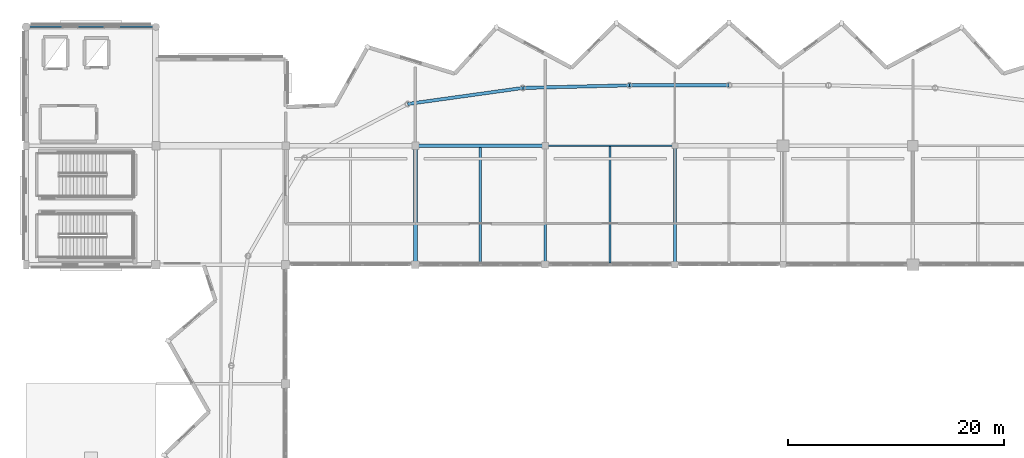
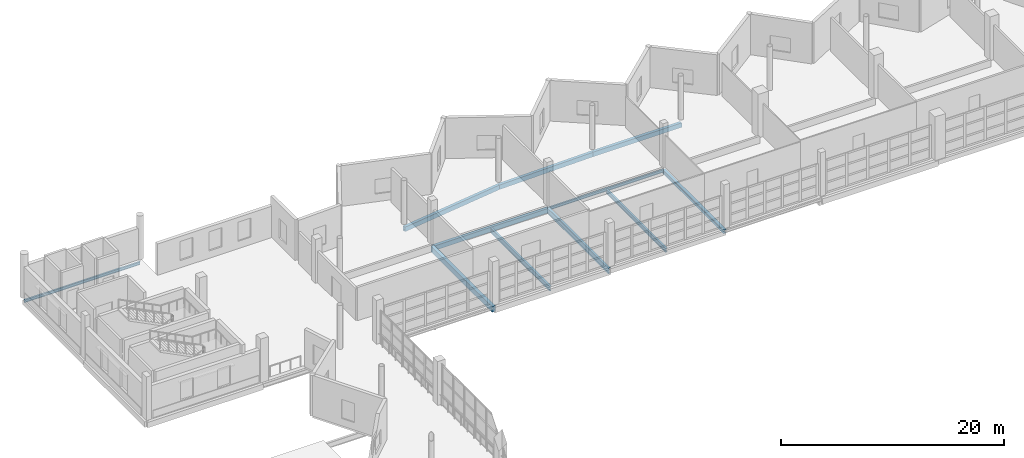
# One storey, part 24 of 53: 11 beams.
"""IFC4 building model written with IfcOpenShell, lengths in metres."""

import ifcopenshell
import ifcopenshell.guid

model = None  # the IFC model being written
_history = None  # IfcOwnerHistory: only IFC2X3 demands one
_inside = {}  # id of a spatial element -> (the spatial element, [elements in it])
_under = {}  # id of a project, library or spatial element -> (it, [spatial elements below it])
_declared = {}  # id of a project -> (the project, [libraries it declares])
_typed = {}  # id of a type object -> (the type object, [elements of that type])
_made_of = {}  # id of a material, layer set ... -> (it, [elements and type objects made of it])


def new_model(schema):
    """Start an empty IFC model of exactly this schema.

    Asked for "IFC4X3", IfcOpenShell would pick the latest addendum, in which some entities
    have other attributes; the version numbers below select the first issue.
    IFC2X3 requires an IfcOwnerHistory on every rooted entity: one is made here for all.
    """
    global model, _history
    if schema == "IFC4X3":
        model = ifcopenshell.file(schema_version=(4, 3, 0, 0))
    else:
        model = ifcopenshell.file(schema=schema)
    _inside.clear()
    _under.clear()
    _declared.clear()
    _typed.clear()
    _made_of.clear()
    _history = None
    if model.schema == "IFC2X3":
        org = make("IfcOrganization", Name="unknown")
        user = make(
            "IfcPersonAndOrganization",
            ThePerson=make("IfcPerson", FamilyName="unknown"),
            TheOrganization=org,
        )
        app = make(
            "IfcApplication",
            ApplicationDeveloper=org,
            Version="unknown",
            ApplicationFullName="unknown",
            ApplicationIdentifier="unknown",
        )
        _history = make(
            "IfcOwnerHistory",
            OwningUser=user,
            OwningApplication=app,
            ChangeAction="ADDED",
            CreationDate=0,
        )
    return model


def make(cls, **values):
    """One entity of the class cls with the attributes given. An attribute that is None is left unset."""
    return model.create_entity(
        cls, **{name: value for name, value in values.items() if value is not None}
    )


def rooted(cls, **values):
    """An entity with a GlobalId (a new one), such as an element, a storey or a relation."""
    return make(cls, GlobalId=ifcopenshell.guid.new(), OwnerHistory=_history, **values)


def si_unit(unit_type, name, prefix=None):
    """IfcSIUnit, for example si_unit("LENGTHUNIT", "METRE", prefix="MILLI")."""
    return make("IfcSIUnit", UnitType=unit_type, Prefix=prefix, Name=name)


def assignment(units):
    """IfcUnitAssignment: the units of a project."""
    return None if units is None else make("IfcUnitAssignment", Units=units)


def point(xyz):
    """IfcCartesianPoint."""
    return None if xyz is None else make("IfcCartesianPoint", Coordinates=xyz)


def direction(xyz):
    """IfcDirection."""
    return None if xyz is None else make("IfcDirection", DirectionRatios=xyz)


def frame(location, z_axis=None, x_axis=None):
    """IfcAxis2Placement3D, a coordinate frame: its origin and axes. An axis left out is left unset."""
    return make(
        "IfcAxis2Placement3D",
        Location=point(location),
        Axis=direction(z_axis),
        RefDirection=direction(x_axis),
    )


def frame_2d(location, x_axis=None):
    """IfcAxis2Placement2D, a coordinate frame in the plane: its origin and x axis."""
    return make(
        "IfcAxis2Placement2D", Location=point(location), RefDirection=direction(x_axis)
    )


def origin():
    """The frame at (0, 0, 0) with its axes left unset."""
    return frame((0.0, 0.0, 0.0))


def origin_2d():
    """The frame at (0, 0) in the plane with its x axis left unset."""
    return frame_2d((0.0, 0.0))


def place(relative_to, where):
    """IfcLocalPlacement: puts the frame where relative to a parent placement (None: the world)."""
    return make(
        "IfcLocalPlacement", PlacementRelTo=relative_to, RelativePlacement=where
    )


def context(
    kind, dimensions, precision=None, world=None, true_north=None, identifier=None
):
    """IfcGeometricRepresentationContext, for example the 3D "Model" context."""
    return make(
        "IfcGeometricRepresentationContext",
        ContextIdentifier=identifier,
        ContextType=kind,
        CoordinateSpaceDimension=dimensions,
        Precision=precision,
        WorldCoordinateSystem=world,
        TrueNorth=true_north,
    )


def subcontext(parent, identifier, kind, view, scale=None):
    """IfcGeometricRepresentationSubContext, for example "Body" below "Model"."""
    return make(
        "IfcGeometricRepresentationSubContext",
        ContextIdentifier=identifier,
        ContextType=kind,
        ParentContext=parent,
        TargetScale=scale,
        TargetView=view,
    )


def project(units=None, contexts=None):
    """IfcProject with its units and contexts."""
    return rooted(
        "IfcProject",
        Name="project",
        RepresentationContexts=contexts,
        UnitsInContext=assignment(units),
    )


def spatial(cls, under=None, at=None, **own):
    """A site, building, storey or space (cls), placed at a placement, below another one or the project."""
    s = rooted(cls, ObjectPlacement=at, **own)
    if under is not None:
        _under.setdefault(under.id(), (under, []))[1].append(s)
    return s


def profile(cls, at=None, kind="AREA", **sizes):
    """A parametric profile (cls). Its sizes go by their IFC names, for example OverallWidth=200.0."""
    return make(cls, ProfileType=kind, Position=at, **sizes)


def rectangle(**sizes):
    """IfcRectangleProfileDef."""
    return profile("IfcRectangleProfileDef", **sizes)


def hollow_rectangle(**sizes):
    """IfcRectangleHollowProfileDef."""
    return profile("IfcRectangleHollowProfileDef", **sizes)


def i_section(**sizes):
    """IfcIShapeProfileDef."""
    return profile("IfcIShapeProfileDef", **sizes)


def extrude(swept, where, along, depth):
    """IfcExtrudedAreaSolid: the profile swept, set in the frame where, extruded along a direction by depth."""
    return make(
        "IfcExtrudedAreaSolid",
        SweptArea=swept,
        Position=where,
        ExtrudedDirection=direction(along),
        Depth=depth,
    )


def shape(context_of_items, identifier, shape_type, items):
    """IfcShapeRepresentation: the items that make up one representation, for example the "Body"."""
    return make(
        "IfcShapeRepresentation",
        ContextOfItems=context_of_items,
        RepresentationIdentifier=identifier,
        RepresentationType=shape_type,
        Items=items,
    )


def material(Name=None, Category=None):
    """IfcMaterial."""
    return make("IfcMaterial", Name=Name, Category=Category)


def material_profile(
    of_material, cross_section, Name=None, Category=None, Priority=None
):
    """IfcMaterialProfile: a cross section and its material."""
    return make(
        "IfcMaterialProfile",
        Name=Name,
        Material=of_material,
        Profile=cross_section,
        Priority=Priority,
        Category=Category,
    )


def profile_set(profiles, Name=None, composite=None):
    """IfcMaterialProfileSet."""
    return make(
        "IfcMaterialProfileSet",
        Name=Name,
        MaterialProfiles=profiles,
        CompositeProfile=composite,
    )


def made_of(thing, what):
    """Note that an element or type object is made of a material, layer set ...; save() writes the relation."""
    if what is not None:
        _made_of.setdefault(what.id(), (what, []))[1].append(thing)
    return thing


def type_object(cls, material=None, **own):
    """A type object (cls), such as IfcWallType, which elements share."""
    return made_of(rooted(cls, **own), material)


def element(
    cls,
    number,
    at=None,
    inside=None,
    cuts=None,
    type_object=None,
    material=None,
    context=None,
    identifier="Body",
    shape_type=None,
    held_by="IfcProductDefinitionShape",
    body=None,
    shapes=None,
    **own,
):
    """One element of the class cls, such as IfcWall. Its Tag is "e" and its number.

    at: its placement. inside: the storey or other place that contains it. cuts: it is an
    opening in that element (IfcRelVoidsElement). A single representation is given by context,
    identifier, shape_type and body (its items); several are given by shapes. held_by: the class
    of the entity that holds the representations. save() writes the other relations.
    """
    e = rooted(cls, Tag="e%d" % number, ObjectPlacement=at, **own)
    if body is not None:
        shapes = [shape(context, identifier, shape_type, body)]
    if shapes is not None:
        e.Representation = make(held_by, Representations=shapes)
    if inside is not None:
        _inside.setdefault(inside.id(), (inside, []))[1].append(e)
    if cuts is not None:
        rooted(
            "IfcRelVoidsElement", RelatingBuildingElement=cuts, RelatedOpeningElement=e
        )
    if type_object is not None:
        _typed.setdefault(type_object.id(), (type_object, []))[1].append(e)
    return made_of(e, material)


def aggregate(whole, parts):
    """IfcRelAggregates: a whole, such as a stair, and the parts it consists of."""
    return rooted("IfcRelAggregates", RelatingObject=whole, RelatedObjects=parts)


def save(model, path):
    """Write the relations noted so far, then the file.

    IfcRelAggregates (storeys below a building ...), IfcRelContainedInSpatialStructure (elements
    in a storey), IfcRelDefinesByType, IfcRelAssociatesMaterial and IfcRelDeclares: one each for
    every whole, place, type object, material and project.
    """
    for whole, parts in _under.values():
        aggregate(whole, parts)
    for where, things in _inside.values():
        rooted(
            "IfcRelContainedInSpatialStructure",
            RelatedElements=things,
            RelatingStructure=where,
        )
    for kind, things in _typed.values():
        rooted("IfcRelDefinesByType", RelatedObjects=things, RelatingType=kind)
    for what, things in _made_of.values():
        rooted("IfcRelAssociatesMaterial", RelatedObjects=things, RelatingMaterial=what)
    for by, libraries in _declared.values():
        rooted("IfcRelDeclares", RelatingContext=by, RelatedDefinitions=libraries)
    model.write(path)


model = new_model("IFC4")

# Units and contexts
model_context = context("Model", 3, precision=1e-05, world=origin(), true_north=direction((0.0, 1.0)))
body_context = subcontext(model_context, "Body", "Model", "MODEL_VIEW")
ifc_project = project(units=[si_unit("LENGTHUNIT", "METRE"), si_unit("AREAUNIT", "SQUARE_METRE"), si_unit("VOLUMEUNIT", "CUBIC_METRE"), si_unit("PLANEANGLEUNIT", "RADIAN"), si_unit("MASSUNIT", "GRAM", prefix="KILO")], contexts=[model_context])

# Site, building, storey
site_placement = place(None, origin())
site = spatial("IfcSite", under=ifc_project, at=site_placement, CompositionType="ELEMENT")
building_placement = place(site_placement, origin())
building = spatial("IfcBuilding", under=site, at=building_placement, Name="Luwafu Chhajja Arena", CompositionType="ELEMENT")
storey_placement = place(building_placement, frame((0.0, 0.0, 19.5)))
storey = spatial("IfcBuildingStorey", under=building, at=storey_placement, Name="L04", CompositionType="ELEMENT", Elevation=19.5)

# Beams
ifc_material_1 = material(Name="Concrete C35/45", Category="concrete")
ifc_material_profile_1 = material_profile(ifc_material_1, rectangle(XDim=0.35009765625, YDim=0.60009765625, at=origin_2d()), Name="RC 350x600")
ifc_profile_set_1 = profile_set([ifc_material_profile_1], Name="Concrete C35/45")
beam_type_1 = type_object("IfcBeamType", Name="Arcade Tie Beam RC 350x600", PredefinedType="BEAM", material=ifc_profile_set_1)
beam_1_placement = place(storey_placement, frame((70.0, 77.0, -0.68994140625), z_axis=(0.0, 1.0, 0.0), x_axis=(-1.0, 0.0, 0.0)))
element("IfcBeam", 1, at=beam_1_placement, inside=storey, type_object=beam_type_1, Name="L04 Grid Beam 7/H-J", PredefinedType="BEAM", context=body_context, shape_type="SweptSolid", body=[
    extrude(rectangle(XDim=0.35009765625, YDim=0.60009765625, at=origin_2d()), origin(), (0.0, 0.0, 1.0), 11.0),
])
ifc_material_2 = material(Name="Steel S355", Category="steel")
ifc_material_profile_2 = material_profile(ifc_material_2, i_section(OverallWidth=0.165771484375, OverallDepth=0.306640625, WebThickness=0.006591796875, FlangeThickness=0.01171875, at=origin_2d()), Name="UB 305x165x46")
ifc_profile_set_2 = profile_set([ifc_material_profile_2], Name="Steel S355")
beam_type_2 = type_object("IfcBeamType", Name="Concourse Edge Spandrel Beam UB 305x165x46", PredefinedType="SPANDREL", material=ifc_profile_set_2)
for number, where, z_axis, x_axis, name in (
    (2, (34.0, 99.0, -0.543212890625), (1.0, 0.0, 0.0), (0.0, 1.0, 0.0), "L04 Grid Beam 4-5/K"),
    (3, (82.0, 88.0, -0.543212890625), (1.0, 0.0, 0.0), (0.0, 1.0, 0.0), "L04 Grid Beam 8-9/J"),
):
    element("IfcBeam", number, at=place(storey_placement, frame(where, z_axis=z_axis, x_axis=x_axis)), inside=storey, type_object=beam_type_2, Name=name, PredefinedType="SPANDREL", context=body_context, shape_type="SweptSolid", body=[
        extrude(i_section(OverallWidth=0.165771484375, OverallDepth=0.306640625, WebThickness=0.006591796875, FlangeThickness=0.01171875, at=origin_2d()), origin(), (0.0, 0.0, 1.0), 12.0),
    ])
ifc_material_profile_3 = material_profile(ifc_material_2, i_section(OverallWidth=0.19140625, OverallDepth=0.4599609375, WebThickness=0.010009765625, FlangeThickness=0.01611328125, at=origin_2d()), Name="UB 457x191x82")
ifc_profile_set_3 = profile_set([ifc_material_profile_3], Name="Steel S355")
beam_type_3 = type_object("IfcBeamType", Name="Floor Joist UB 457x191x82", PredefinedType="JOIST", material=ifc_profile_set_3)
beam_2_placement = place(storey_placement, frame((88.0, 77.14990234375, -0.6201171875), z_axis=(0.0, 1.0, 0.0), x_axis=(-1.0, 0.0, 0.0)))
element("IfcBeam", 4, at=beam_2_placement, inside=storey, type_object=beam_type_3, Name="L04 Secondary Joist 8-9/H", PredefinedType="JOIST", context=body_context, shape_type="SweptSolid", body=[
    extrude(i_section(OverallWidth=0.19140625, OverallDepth=0.4599609375, WebThickness=0.010009765625, FlangeThickness=0.01611328125, at=origin_2d()), origin(), (0.0, 0.0, 1.0), 10.767333984375),
])
ifc_material_profile_4 = material_profile(ifc_material_2, i_section(OverallWidth=0.209228515625, OverallDepth=0.533203125, WebThickness=0.010009765625, FlangeThickness=0.015625, at=origin_2d()), Name="UB 533x210x92")
ifc_profile_set_4 = profile_set([ifc_material_profile_4], Name="Steel S355")
beam_type_4 = type_object("IfcBeamType", Name="Floor Joist UB 533x210x92", PredefinedType="JOIST", material=ifc_profile_set_4)
beam_3_placement = place(storey_placement, frame((76.0, 77.199951171875, -0.656494140625), z_axis=(0.0, 1.0, 0.0), x_axis=(-1.0, 0.0, 0.0)))
element("IfcBeam", 5, at=beam_3_placement, inside=storey, type_object=beam_type_4, Name="L04 Secondary Joist 7-8/H", PredefinedType="JOIST", context=body_context, shape_type="SweptSolid", body=[
    extrude(i_section(OverallWidth=0.209228515625, OverallDepth=0.533203125, WebThickness=0.010009765625, FlangeThickness=0.015625, at=origin_2d()), origin(), (0.0, 0.0, 1.0), 10.650146484375),
])
ifc_material_profile_5 = material_profile(ifc_material_2, hollow_rectangle(XDim=0.300048828125, YDim=0.5, WallThickness=0.02001953125, at=origin_2d()), Name="RHS 500x300x20")
ifc_profile_set_5 = profile_set([ifc_material_profile_5], Name="Steel S355")
beam_type_5 = type_object("IfcBeamType", Name="Pleated Drum Spandrel Beam RHS 500x300", PredefinedType="SPANDREL", material=ifc_profile_set_5)
beam_4_placement = place(storey_placement, frame((70.0, 88.0, -0.639892578125), z_axis=(1.0, 0.0, 0.0), x_axis=(0.0, 1.0, 0.0)))
element("IfcBeam", 6, at=beam_4_placement, inside=storey, type_object=beam_type_5, Name="L04 Grid Beam 7-8/J", PredefinedType="SPANDREL", context=body_context, shape_type="SweptSolid", body=[
    extrude(hollow_rectangle(XDim=0.300048828125, YDim=0.5, WallThickness=0.02001953125, at=origin_2d()), origin(), (0.0, 0.0, 1.0), 12.0),
])
beam_5_placement = place(storey_placement, frame((99.0, 93.60009765625, -0.639892578125), z_axis=(-0.999999155928, -0.001299285621, 0.0), x_axis=(0.001299285621, -0.999999155928, 0.0)))
element("IfcBeam", 7, at=beam_5_placement, inside=storey, type_object=beam_type_5, Name="L04 Drum Ring Spandrel D09-D10", PredefinedType="SPANDREL", context=body_context, shape_type="SweptSolid", body=[
    extrude(hollow_rectangle(XDim=0.300048828125, YDim=0.5, WallThickness=0.02001953125, at=origin_2d()), origin(), (0.0, 0.0, 1.0), 9.207275390625),
])
beam_6_placement = place(storey_placement, frame((89.792724609375, 93.588134765625, -0.639892578125), z_axis=(-0.999695420837, -0.024679253567, 0.0), x_axis=(0.024679253567, -0.999695420837, 0.0)))
element("IfcBeam", 8, at=beam_6_placement, inside=storey, type_object=beam_type_5, Name="L04 Drum Ring Spandrel D10-D11", PredefinedType="SPANDREL", context=body_context, shape_type="SweptSolid", body=[
    extrude(hollow_rectangle(XDim=0.300048828125, YDim=0.5, WallThickness=0.02001953125, at=origin_2d()), origin(), (0.0, 0.0, 1.0), 9.86279296875),
])
beam_7_placement = place(storey_placement, frame((79.932861328125, 93.3447265625, -0.639892578125), z_axis=(-0.990458730054, -0.137809666058, 0.0), x_axis=(0.137809666058, -0.990458730054, 0.0)))
element("IfcBeam", 9, at=beam_7_placement, inside=storey, type_object=beam_type_5, Name="L04 Drum Ring Spandrel D11-D12", PredefinedType="SPANDREL", context=body_context, shape_type="SweptSolid", body=[
    extrude(hollow_rectangle(XDim=0.300048828125, YDim=0.5, WallThickness=0.02001953125, at=origin_2d()), origin(), (0.0, 0.0, 1.0), 10.75341796875),
])
ifc_material_profile_6 = material_profile(ifc_material_2, i_section(OverallWidth=0.22900390625, OverallDepth=0.6123046875, WebThickness=0.011962890625, FlangeThickness=0.01953125, at=origin_2d()), Name="UB 610x229x125")
ifc_profile_set_6 = profile_set([ifc_material_profile_6], Name="Steel S355")
beam_type_6 = type_object("IfcBeamType", Name="Steel Mezzanine Girder UB 610x229x125", PredefinedType="BEAM", material=ifc_profile_set_6)
beam_8_placement = place(storey_placement, frame((82.0, 77.0, -0.696044921875), z_axis=(0.0, 1.0, 0.0), x_axis=(-1.0, 0.0, 0.0)))
element("IfcBeam", 10, at=beam_8_placement, inside=storey, type_object=beam_type_6, Name="L04 Grid Beam 8/H-J", PredefinedType="BEAM", context=body_context, shape_type="SweptSolid", body=[
    extrude(i_section(OverallWidth=0.22900390625, OverallDepth=0.6123046875, WebThickness=0.011962890625, FlangeThickness=0.01953125, at=origin_2d()), origin(), (0.0, 0.0, 1.0), 11.0),
])
ifc_material_profile_7 = material_profile(ifc_material_2, i_section(OverallWidth=0.300048828125, OverallDepth=0.39990234375, WebThickness=0.013427734375, FlangeThickness=0.02392578125, at=origin_2d()), Name="HEB 400")
ifc_profile_set_7 = profile_set([ifc_material_profile_7], Name="Steel S355")
beam_type_7 = type_object("IfcBeamType", Name="Steel Rigging Grid Beam HEB 400", PredefinedType="BEAM", material=ifc_profile_set_7)
beam_9_placement = place(storey_placement, frame((94.0, 77.0, -0.590087890625), z_axis=(0.0, 1.0, 0.0), x_axis=(-1.0, 0.0, 0.0)))
element("IfcBeam", 11, at=beam_9_placement, inside=storey, type_object=beam_type_7, Name="L04 Grid Beam 9/H-J", PredefinedType="BEAM", context=body_context, shape_type="SweptSolid", body=[
    extrude(i_section(OverallWidth=0.300048828125, OverallDepth=0.39990234375, WebThickness=0.013427734375, FlangeThickness=0.02392578125, at=origin_2d()), origin(), (0.0, 0.0, 1.0), 11.0),
])

save(model, "model.ifc")
